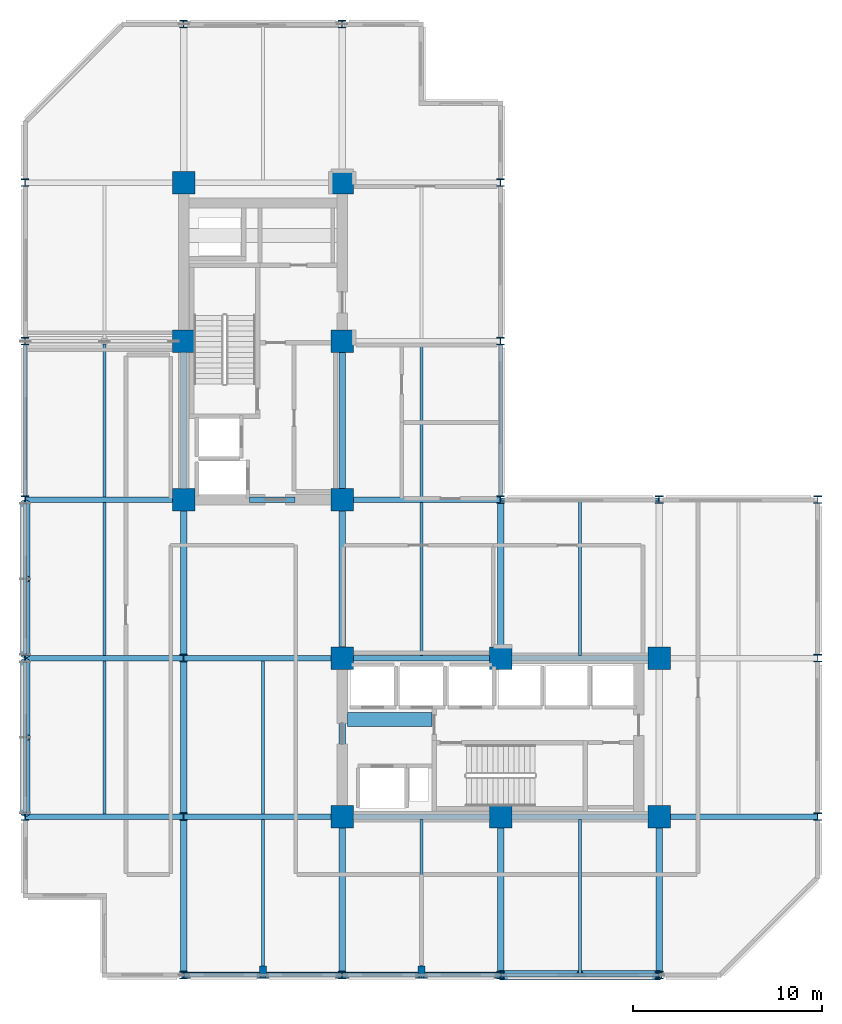
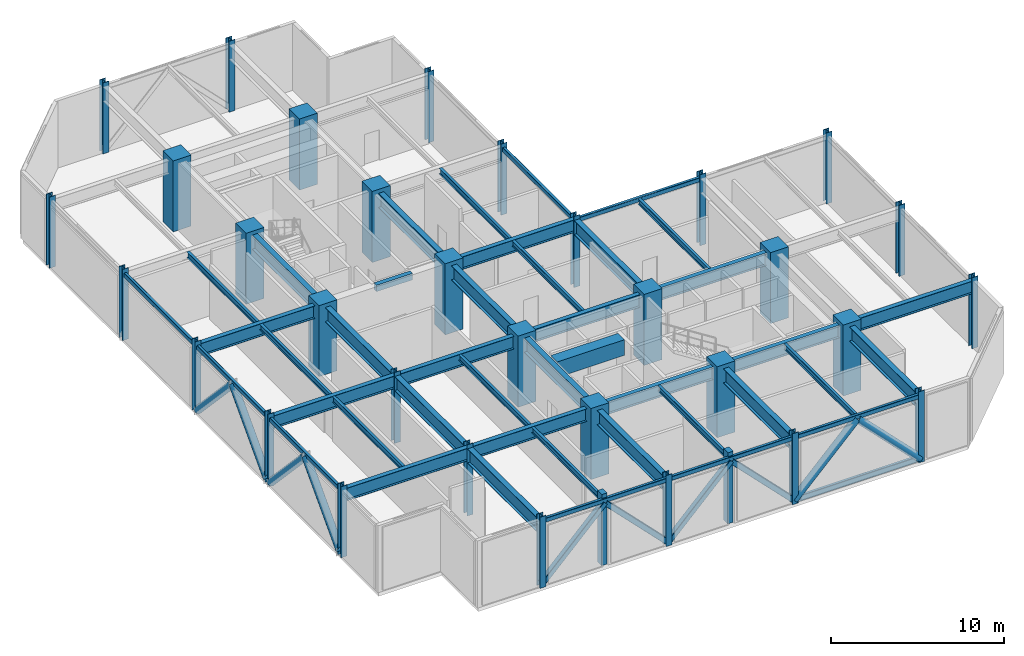
# One storey, part 1 of 10: 42 beams, 34 columns, 11 members.
"""IFC4 building model written with IfcOpenShell, lengths in metres."""

from ifc_helpers import new_model, si_unit, direction, frame, origin, origin_2d, place, context, subcontext, project, spatial, rectangle, hollow_rectangle, hollow_circle, i_section, extrude, material, material_profile, profile_set, type_object, element, save


model = new_model("IFC4")

# Units and contexts
model_context = context("Model", 3, precision=1e-05, world=origin(), true_north=direction((0.0, 1.0)))
body_context = subcontext(model_context, "Body", "Model", "MODEL_VIEW")
ifc_project = project(units=[si_unit("LENGTHUNIT", "METRE"), si_unit("AREAUNIT", "SQUARE_METRE"), si_unit("VOLUMEUNIT", "CUBIC_METRE"), si_unit("PLANEANGLEUNIT", "RADIAN"), si_unit("MASSUNIT", "GRAM", prefix="KILO")], contexts=[model_context])

# Site, building, storey
site_placement = place(None, origin())
site = spatial("IfcSite", under=ifc_project, at=site_placement, CompositionType="ELEMENT")
building_placement = place(site_placement, origin())
building = spatial("IfcBuilding", under=site, at=building_placement, Name="Nerrivon Quay Data Exchange", CompositionType="ELEMENT")
storey_placement = place(building_placement, frame((0.0, 0.0, 162.300048828125)))
storey = spatial("IfcBuildingStorey", under=building, at=storey_placement, Name="L38", CompositionType="ELEMENT", Elevation=162.300048828125)

# Columns
ifc_material_1 = material(Name="Concrete S65 (65 MPa)", Category="concrete")
ifc_material_profile_1 = material_profile(ifc_material_1, rectangle(XDim=1.199951171875, YDim=1.199951171875, at=origin_2d()), Name="RC-COL-1200x1200")
ifc_profile_set_1 = profile_set([ifc_material_profile_1], Name="Concrete S65 (65 MPa)")
column_type_1 = type_object("IfcColumnType", Name="COL-C3-1200", PredefinedType="COLUMN", material=ifc_profile_set_1)
for number, where, z_axis, x_axis, name in (
    (1, (8.39990234375, 25.199951171875, 0.0), (0.0, 0.0, 1.0), (1.0, 0.0, 0.0), "L38 Column (8.4,25.2)"),
    (2, (8.39990234375, 33.60009765625, 0.0), (0.0, 0.0, 1.0), (1.0, 0.0, 0.0), "L38 Column (8.4,33.6)"),
    (3, (8.39990234375, 42.0, 0.0), (0.0, 0.0, 1.0), (1.0, 0.0, 0.0), "L38 Column (8.4,42.0)"),
    (4, (16.800048828125, 8.39990234375, 0.0), (0.0, 0.0, 1.0), (1.0, 0.0, 0.0), "L38 Column (16.8,8.4)"),
    (5, (16.800048828125, 16.800048828125, 0.0), (0.0, 0.0, 1.0), (1.0, 0.0, 0.0), "L38 Column (16.8,16.8)"),
    (6, (16.800048828125, 25.199951171875, 0.0), (0.0, 0.0, 1.0), (1.0, 0.0, 0.0), "L38 Column (16.8,25.2)"),
    (7, (16.800048828125, 33.60009765625, 0.0), (0.0, 0.0, 1.0), (1.0, 0.0, 0.0), "L38 Column (16.8,33.6)"),
    (8, (16.800048828125, 42.0, 0.0), (0.0, 0.0, 1.0), (1.0, 0.0, 0.0), "L38 Column (16.8,42.0)"),
    (9, (25.199951171875, 8.39990234375, 0.0), (0.0, 0.0, 1.0), (1.0, 0.0, 0.0), "L38 Column (25.2,8.4)"),
    (10, (25.199951171875, 16.800048828125, 0.0), (0.0, 0.0, 1.0), (1.0, 0.0, 0.0), "L38 Column (25.2,16.8)"),
    (11, (33.60009765625, 8.39990234375, 0.0), (0.0, 0.0, 1.0), (1.0, 0.0, 0.0), "L38 Column (33.6,8.4)"),
    (12, (33.60009765625, 16.800048828125, 0.0), (0.0, 0.0, 1.0), (1.0, 0.0, 0.0), "L38 Column (33.6,16.8)"),
):
    element("IfcColumn", number, at=place(storey_placement, frame(where, z_axis=z_axis, x_axis=x_axis)), inside=storey, type_object=column_type_1, Name=name, PredefinedType="COLUMN", context=body_context, shape_type="SweptSolid", body=[
        extrude(rectangle(XDim=1.199951171875, YDim=1.199951171875, at=origin_2d()), origin(), (0.0, 0.0, 1.0), 5.0),
    ])
ifc_material_2 = material(Name="Steel Grade 350", Category="steel")
ifc_material_profile_2 = material_profile(ifc_material_2, i_section(OverallWidth=0.39990234375, OverallDepth=0.39990234375, WebThickness=0.02490234375, FlangeThickness=0.0400390625, at=origin_2d()), Name="400WC328")
ifc_profile_set_2 = profile_set([ifc_material_profile_2], Name="Steel Grade 350")
column_type_2 = type_object("IfcColumnType", Name="COL-SC2-400WC", PredefinedType="COLUMN", material=ifc_profile_set_2)
for number, where, z_axis, x_axis, name in (
    (13, (0.0, 8.39990234375, 0.0), (0.0, 0.0, 1.0), (1.0, 0.0, 0.0), "L38 Column (0.0,8.4)"),
    (14, (0.0, 16.800048828125, 0.0), (0.0, 0.0, 1.0), (1.0, 0.0, 0.0), "L38 Column (0.0,16.8)"),
    (15, (0.0, 25.199951171875, 0.0), (0.0, 0.0, 1.0), (1.0, 0.0, 0.0), "L38 Column (0.0,25.2)"),
    (16, (0.0, 33.60009765625, 0.0), (0.0, 0.0, 1.0), (1.0, 0.0, 0.0), "L38 Column (0.0,33.6)"),
    (17, (0.0, 42.0, 0.0), (0.0, 0.0, 1.0), (1.0, 0.0, 0.0), "L38 Column (0.0,42.0)"),
    (18, (8.39990234375, 0.0, 0.0), (0.0, 0.0, 1.0), (1.0, 0.0, 0.0), "L38 Column (8.4,0.0)"),
    (19, (8.39990234375, 8.39990234375, 0.0), (0.0, 0.0, 1.0), (1.0, 0.0, 0.0), "L38 Column (8.4,8.4)"),
    (20, (8.39990234375, 16.800048828125, 0.0), (0.0, 0.0, 1.0), (1.0, 0.0, 0.0), "L38 Column (8.4,16.8)"),
    (21, (8.39990234375, 50.39990234375, 0.0), (0.0, 0.0, 1.0), (1.0, 0.0, 0.0), "L38 Column (8.4,50.4)"),
    (22, (16.800048828125, 0.0, 0.0), (0.0, 0.0, 1.0), (1.0, 0.0, 0.0), "L38 Column (16.8,0.0)"),
    (23, (16.800048828125, 50.39990234375, 0.0), (0.0, 0.0, 1.0), (1.0, 0.0, 0.0), "L38 Column (16.8,50.4)"),
    (24, (25.199951171875, 0.0, 0.0), (0.0, 0.0, 1.0), (1.0, 0.0, 0.0), "L38 Column (25.2,0.0)"),
    (25, (25.199951171875, 25.199951171875, 0.0), (0.0, 0.0, 1.0), (1.0, 0.0, 0.0), "L38 Column (25.2,25.2)"),
    (26, (25.199951171875, 33.60009765625, 0.0), (0.0, 0.0, 1.0), (1.0, 0.0, 0.0), "L38 Column (25.2,33.6)"),
    (27, (25.199951171875, 42.0, 0.0), (0.0, 0.0, 1.0), (1.0, 0.0, 0.0), "L38 Column (25.2,42.0)"),
    (28, (33.60009765625, 0.0, 0.0), (0.0, 0.0, 1.0), (1.0, 0.0, 0.0), "L38 Column (33.6,0.0)"),
    (29, (33.60009765625, 25.199951171875, 0.0), (0.0, 0.0, 1.0), (1.0, 0.0, 0.0), "L38 Column (33.6,25.2)"),
    (30, (42.0, 8.39990234375, 0.0), (0.0, 0.0, 1.0), (1.0, 0.0, 0.0), "L38 Column (42.0,8.4)"),
    (31, (42.0, 16.800048828125, 0.0), (0.0, 0.0, 1.0), (1.0, 0.0, 0.0), "L38 Column (42.0,16.8)"),
    (32, (42.0, 25.199951171875, 0.0), (0.0, 0.0, 1.0), (1.0, 0.0, 0.0), "L38 Column (42.0,25.2)"),
):
    element("IfcColumn", number, at=place(storey_placement, frame(where, z_axis=z_axis, x_axis=x_axis)), inside=storey, type_object=column_type_2, Name=name, PredefinedType="COLUMN", context=body_context, shape_type="SweptSolid", body=[
        extrude(i_section(OverallWidth=0.39990234375, OverallDepth=0.39990234375, WebThickness=0.02490234375, FlangeThickness=0.0400390625, at=origin_2d()), origin(), (0.0, 0.0, 1.0), 5.0),
    ])
ifc_material_3 = material(Name="Concrete N50 (50 MPa)", Category="concrete")
ifc_material_profile_3 = material_profile(ifc_material_3, rectangle(XDim=0.35009765625, YDim=0.5, at=origin_2d()), Name="RC-PIL-500x350")
ifc_profile_set_3 = profile_set([ifc_material_profile_3], Name="Concrete N50 (50 MPa)")
column_type_3 = type_object("IfcColumnType", Name="PIL-P2-500x350", PredefinedType="PILASTER", material=ifc_profile_set_3)
for number, where, z_axis, x_axis, name in (
    (33, (12.60009765625, 0.25, 0.0), (0.0, 0.0, 1.0), (1.0, 0.0, 0.0), "L38 Facade Pilaster (12.6)"),
    (34, (21.0, 0.25, 0.0), (0.0, 0.0, 1.0), (1.0, 0.0, 0.0), "L38 Facade Pilaster (21.0)"),
):
    element("IfcColumn", number, at=place(storey_placement, frame(where, z_axis=z_axis, x_axis=x_axis)), inside=storey, type_object=column_type_3, Name=name, PredefinedType="PILASTER", context=body_context, shape_type="SweptSolid", body=[
        extrude(rectangle(XDim=0.35009765625, YDim=0.5, at=origin_2d()), origin(), (0.0, 0.0, 1.0), 5.0),
    ])

# Beams
ifc_material_profile_4 = material_profile(ifc_material_1, rectangle(XDim=0.75, YDim=1.10009765625, at=origin_2d()), Name="RC-CB-750x1100")
ifc_profile_set_4 = profile_set([ifc_material_profile_4], Name="Concrete S65 (65 MPa)")
beam_type_1 = type_object("IfcBeamType", Name="BM-CB1-750x1100", PredefinedType="LINTEL", material=ifc_profile_set_4)
beam_1_placement = place(storey_placement, frame((17.074951171875, 13.550048828125, 4.175048828125), z_axis=(1.0, 0.0, 0.0), x_axis=(0.0, 1.0, 0.0)))
element("IfcBeam", 35, at=beam_1_placement, inside=storey, type_object=beam_type_1, Name="L38 East Core Coupling Beam", PredefinedType="LINTEL", context=body_context, shape_type="SweptSolid", body=[
    extrude(rectangle(XDim=0.75, YDim=1.10009765625, at=origin_2d()), origin(), (0.0, 0.0, 1.0), 4.47998046875),
])
ifc_material_profile_5 = material_profile(ifc_material_2, i_section(OverallWidth=0.177978515625, OverallDepth=0.403076171875, WebThickness=0.007568359375, FlangeThickness=0.010986328125, FilletRadius=0.011474609375, at=origin_2d()), Name="410UB53.7")
ifc_profile_set_5 = profile_set([ifc_material_profile_5], Name="Steel Grade 350")
beam_type_2 = type_object("IfcBeamType", Name="BM-J2-410UB54", PredefinedType="JOIST", material=ifc_profile_set_5)
beam_2_placement = place(storey_placement, frame((4.199951171875, 8.550048828125, 4.5234375), z_axis=(0.0, 1.0, 0.0), x_axis=(-1.0, 0.0, 0.0)))
element("IfcBeam", 36, at=beam_2_placement, inside=storey, type_object=beam_type_2, Name="L38 Secondary Joist X=4.2 (8.4..16.8)", PredefinedType="JOIST", context=body_context, shape_type="SweptSolid", body=[
    extrude(i_section(OverallWidth=0.177978515625, OverallDepth=0.403076171875, WebThickness=0.007568359375, FlangeThickness=0.010986328125, FilletRadius=0.011474609375, at=origin_2d()), origin(), (0.0, 0.0, 1.0), 8.099853515625),
])
beam_3_placement = place(storey_placement, frame((4.199951171875, 16.949951171875, 4.5234375), z_axis=(0.0, 1.0, 0.0), x_axis=(-1.0, 0.0, 0.0)))
element("IfcBeam", 37, at=beam_3_placement, inside=storey, type_object=beam_type_2, Name="L38 Secondary Joist X=4.2 (16.8..25.2)", PredefinedType="JOIST", context=body_context, shape_type="SweptSolid", body=[
    extrude(i_section(OverallWidth=0.177978515625, OverallDepth=0.403076171875, WebThickness=0.007568359375, FlangeThickness=0.010986328125, FilletRadius=0.011474609375, at=origin_2d()), origin(), (0.0, 0.0, 1.0), 8.10009765625),
])
beam_4_placement = place(storey_placement, frame((4.199951171875, 25.35009765625, 4.5234375), z_axis=(0.0, 1.0, 0.0), x_axis=(-1.0, 0.0, 0.0)))
element("IfcBeam", 38, at=beam_4_placement, inside=storey, type_object=beam_type_2, Name="L38 Secondary Joist X=4.2 (25.2..33.6)", PredefinedType="JOIST", context=body_context, shape_type="SweptSolid", body=[
    extrude(i_section(OverallWidth=0.177978515625, OverallDepth=0.403076171875, WebThickness=0.007568359375, FlangeThickness=0.010986328125, FilletRadius=0.011474609375, at=origin_2d()), origin(), (0.0, 0.0, 1.0), 8.099853515625),
])
beam_5_placement = place(storey_placement, frame((12.60009765625, 0.10009765625, 4.5234375), z_axis=(0.0, 1.0, 0.0), x_axis=(-1.0, 0.0, 0.0)))
element("IfcBeam", 39, at=beam_5_placement, inside=storey, type_object=beam_type_2, Name="L38 Secondary Joist X=12.6 (0.0..8.4)", PredefinedType="JOIST", context=body_context, shape_type="SweptSolid", body=[
    extrude(i_section(OverallWidth=0.177978515625, OverallDepth=0.403076171875, WebThickness=0.007568359375, FlangeThickness=0.010986328125, FilletRadius=0.011474609375, at=origin_2d()), origin(), (0.0, 0.0, 1.0), 8.14990234375),
])
beam_6_placement = place(storey_placement, frame((12.60009765625, 8.550048828125, 4.5234375), z_axis=(0.0, 1.0, 0.0), x_axis=(-1.0, 0.0, 0.0)))
element("IfcBeam", 40, at=beam_6_placement, inside=storey, type_object=beam_type_2, Name="L38 Secondary Joist X=12.6 (8.4..16.8)", PredefinedType="JOIST", context=body_context, shape_type="SweptSolid", body=[
    extrude(i_section(OverallWidth=0.177978515625, OverallDepth=0.403076171875, WebThickness=0.007568359375, FlangeThickness=0.010986328125, FilletRadius=0.011474609375, at=origin_2d()), origin(), (0.0, 0.0, 1.0), 8.099853515625),
])
beam_7_placement = place(storey_placement, frame((21.0, 0.10009765625, 4.5234375), z_axis=(0.0, 1.0, 0.0), x_axis=(-1.0, 0.0, 0.0)))
element("IfcBeam", 41, at=beam_7_placement, inside=storey, type_object=beam_type_2, Name="L38 Secondary Joist X=21.0 (0.0..8.4)", PredefinedType="JOIST", context=body_context, shape_type="SweptSolid", body=[
    extrude(i_section(OverallWidth=0.177978515625, OverallDepth=0.403076171875, WebThickness=0.007568359375, FlangeThickness=0.010986328125, FilletRadius=0.011474609375, at=origin_2d()), origin(), (0.0, 0.0, 1.0), 8.14990234375),
])
beam_8_placement = place(storey_placement, frame((21.0, 16.949951171875, 4.5234375), z_axis=(0.0, 1.0, 0.0), x_axis=(-1.0, 0.0, 0.0)))
element("IfcBeam", 42, at=beam_8_placement, inside=storey, type_object=beam_type_2, Name="L38 Secondary Joist X=21.0 (16.8..25.2)", PredefinedType="JOIST", context=body_context, shape_type="SweptSolid", body=[
    extrude(i_section(OverallWidth=0.177978515625, OverallDepth=0.403076171875, WebThickness=0.007568359375, FlangeThickness=0.010986328125, FilletRadius=0.011474609375, at=origin_2d()), origin(), (0.0, 0.0, 1.0), 8.10009765625),
])
beam_9_placement = place(storey_placement, frame((21.0, 25.35009765625, 4.5234375), z_axis=(0.0, 1.0, 0.0), x_axis=(-1.0, 0.0, 0.0)))
element("IfcBeam", 43, at=beam_9_placement, inside=storey, type_object=beam_type_2, Name="L38 Secondary Joist X=21.0 (25.2..33.6)", PredefinedType="JOIST", context=body_context, shape_type="SweptSolid", body=[
    extrude(i_section(OverallWidth=0.177978515625, OverallDepth=0.403076171875, WebThickness=0.007568359375, FlangeThickness=0.010986328125, FilletRadius=0.011474609375, at=origin_2d()), origin(), (0.0, 0.0, 1.0), 8.099853515625),
])
beam_10_placement = place(storey_placement, frame((29.39990234375, 0.10009765625, 4.5234375), z_axis=(0.0, 1.0, 0.0), x_axis=(-1.0, 0.0, 0.0)))
element("IfcBeam", 44, at=beam_10_placement, inside=storey, type_object=beam_type_2, Name="L38 Secondary Joist X=29.4 (0.0..8.4)", PredefinedType="JOIST", context=body_context, shape_type="SweptSolid", body=[
    extrude(i_section(OverallWidth=0.177978515625, OverallDepth=0.403076171875, WebThickness=0.007568359375, FlangeThickness=0.010986328125, FilletRadius=0.011474609375, at=origin_2d()), origin(), (0.0, 0.0, 1.0), 8.14990234375),
])
beam_11_placement = place(storey_placement, frame((29.39990234375, 16.949951171875, 4.5234375), z_axis=(0.0, 1.0, 0.0), x_axis=(-1.0, 0.0, 0.0)))
element("IfcBeam", 45, at=beam_11_placement, inside=storey, type_object=beam_type_2, Name="L38 Secondary Joist X=29.4 (16.8..25.2)", PredefinedType="JOIST", context=body_context, shape_type="SweptSolid", body=[
    extrude(i_section(OverallWidth=0.177978515625, OverallDepth=0.403076171875, WebThickness=0.007568359375, FlangeThickness=0.010986328125, FilletRadius=0.011474609375, at=origin_2d()), origin(), (0.0, 0.0, 1.0), 8.150146484375),
])
ifc_material_profile_6 = material_profile(ifc_material_3, rectangle(XDim=0.300048828125, YDim=0.449951171875, at=origin_2d()), Name="RC-LNT-300x450")
ifc_profile_set_6 = profile_set([ifc_material_profile_6], Name="Concrete N50 (50 MPa)")
beam_type_3 = type_object("IfcBeamType", Name="BM-LNT-300x450", PredefinedType="LINTEL", material=ifc_profile_set_6)
beam_12_placement = place(storey_placement, frame((11.89990234375, 25.199951171875, 4.5), z_axis=(1.0, 0.0, 0.0), x_axis=(0.0, 1.0, 0.0)))
element("IfcBeam", 46, at=beam_12_placement, inside=storey, type_object=beam_type_3, Name="L38 Core Threshold RC Lintel", PredefinedType="LINTEL", context=body_context, shape_type="SweptSolid", body=[
    extrude(rectangle(XDim=0.300048828125, YDim=0.449951171875, at=origin_2d()), origin(), (0.0, 0.0, 1.0), 2.400146484375),
])
ifc_material_profile_7 = material_profile(ifc_material_2, i_section(OverallWidth=0.300048828125, OverallDepth=0.89990234375, WebThickness=0.011962890625, FlangeThickness=0.02001953125, at=origin_2d()), Name="900WB175")
ifc_profile_set_7 = profile_set([ifc_material_profile_7], Name="Steel Grade 350")
beam_type_4 = type_object("IfcBeamType", Name="BM-OUT-900WB175", PredefinedType="BEAM", material=ifc_profile_set_7)
beam_13_placement = place(storey_placement, frame((0.012451171875, 8.39990234375, 4.27490234375), z_axis=(1.0, 0.0, 0.0), x_axis=(0.0, 1.0, 0.0)))
element("IfcBeam", 47, at=beam_13_placement, inside=storey, type_object=beam_type_4, Name="L38 EW Girder Y=8.4 (0.0..8.4)", PredefinedType="BEAM", context=body_context, shape_type="SweptSolid", body=[
    extrude(i_section(OverallWidth=0.300048828125, OverallDepth=0.89990234375, WebThickness=0.011962890625, FlangeThickness=0.02001953125, at=origin_2d()), origin(), (0.0, 0.0, 1.0), 8.375),
])
beam_14_placement = place(storey_placement, frame((8.41259765625, 8.39990234375, 4.27490234375), z_axis=(1.0, 0.0, 0.0), x_axis=(0.0, 1.0, 0.0)))
element("IfcBeam", 48, at=beam_14_placement, inside=storey, type_object=beam_type_4, Name="L38 EW Girder Y=8.4 (8.4..16.8)", PredefinedType="BEAM", context=body_context, shape_type="SweptSolid", body=[
    extrude(i_section(OverallWidth=0.300048828125, OverallDepth=0.89990234375, WebThickness=0.011962890625, FlangeThickness=0.02001953125, at=origin_2d()), origin(), (0.0, 0.0, 1.0), 7.847412109375),
])
beam_15_placement = place(storey_placement, frame((17.340087890625, 8.39990234375, 4.27490234375), z_axis=(1.0, 0.0, 0.0), x_axis=(0.0, 1.0, 0.0)))
element("IfcBeam", 49, at=beam_15_placement, inside=storey, type_object=beam_type_4, Name="L38 EW Girder Y=8.4 (16.8..25.2)", PredefinedType="BEAM", context=body_context, shape_type="SweptSolid", body=[
    extrude(i_section(OverallWidth=0.300048828125, OverallDepth=0.89990234375, WebThickness=0.011962890625, FlangeThickness=0.02001953125, at=origin_2d()), origin(), (0.0, 0.0, 1.0), 7.31982421875),
])
beam_16_placement = place(storey_placement, frame((25.739990234375, 8.39990234375, 4.27490234375), z_axis=(1.0, 0.0, 0.0), x_axis=(0.0, 1.0, 0.0)))
element("IfcBeam", 50, at=beam_16_placement, inside=storey, type_object=beam_type_4, Name="L38 EW Girder Y=8.4 (25.2..33.6)", PredefinedType="BEAM", context=body_context, shape_type="SweptSolid", body=[
    extrude(i_section(OverallWidth=0.300048828125, OverallDepth=0.89990234375, WebThickness=0.011962890625, FlangeThickness=0.02001953125, at=origin_2d()), origin(), (0.0, 0.0, 1.0), 7.320068359375),
])
beam_17_placement = place(storey_placement, frame((34.139892578125, 8.39990234375, 4.27490234375), z_axis=(1.0, 0.0, 0.0), x_axis=(0.0, 1.0, 0.0)))
element("IfcBeam", 51, at=beam_17_placement, inside=storey, type_object=beam_type_4, Name="L38 EW Girder Y=8.4 (33.6..42.0)", PredefinedType="BEAM", context=body_context, shape_type="SweptSolid", body=[
    extrude(i_section(OverallWidth=0.300048828125, OverallDepth=0.89990234375, WebThickness=0.011962890625, FlangeThickness=0.02001953125, at=origin_2d()), origin(), (0.0, 0.0, 1.0), 7.84765625),
])
beam_18_placement = place(storey_placement, frame((0.012451171875, 16.800048828125, 4.27490234375), z_axis=(1.0, 0.0, 0.0), x_axis=(0.0, 1.0, 0.0)))
element("IfcBeam", 52, at=beam_18_placement, inside=storey, type_object=beam_type_4, Name="L38 EW Girder Y=16.8 (0.0..8.4)", PredefinedType="BEAM", context=body_context, shape_type="SweptSolid", body=[
    extrude(i_section(OverallWidth=0.300048828125, OverallDepth=0.89990234375, WebThickness=0.011962890625, FlangeThickness=0.02001953125, at=origin_2d()), origin(), (0.0, 0.0, 1.0), 8.375),
])
beam_19_placement = place(storey_placement, frame((8.41259765625, 16.800048828125, 4.27490234375), z_axis=(1.0, 0.0, 0.0), x_axis=(0.0, 1.0, 0.0)))
element("IfcBeam", 53, at=beam_19_placement, inside=storey, type_object=beam_type_4, Name="L38 EW Girder Y=16.8 (8.4..16.8)", PredefinedType="BEAM", context=body_context, shape_type="SweptSolid", body=[
    extrude(i_section(OverallWidth=0.300048828125, OverallDepth=0.89990234375, WebThickness=0.011962890625, FlangeThickness=0.02001953125, at=origin_2d()), origin(), (0.0, 0.0, 1.0), 7.847412109375),
])
beam_20_placement = place(storey_placement, frame((17.340087890625, 16.800048828125, 4.27490234375), z_axis=(1.0, 0.0, 0.0), x_axis=(0.0, 1.0, 0.0)))
element("IfcBeam", 54, at=beam_20_placement, inside=storey, type_object=beam_type_4, Name="L38 EW Girder Y=16.8 (16.8..25.2)", PredefinedType="BEAM", context=body_context, shape_type="SweptSolid", body=[
    extrude(i_section(OverallWidth=0.300048828125, OverallDepth=0.89990234375, WebThickness=0.011962890625, FlangeThickness=0.02001953125, at=origin_2d()), origin(), (0.0, 0.0, 1.0), 7.31982421875),
])
beam_21_placement = place(storey_placement, frame((25.739990234375, 16.800048828125, 4.27490234375), z_axis=(1.0, 0.0, 0.0), x_axis=(0.0, 1.0, 0.0)))
element("IfcBeam", 55, at=beam_21_placement, inside=storey, type_object=beam_type_4, Name="L38 EW Girder Y=16.8 (25.2..33.6)", PredefinedType="BEAM", context=body_context, shape_type="SweptSolid", body=[
    extrude(i_section(OverallWidth=0.300048828125, OverallDepth=0.89990234375, WebThickness=0.011962890625, FlangeThickness=0.02001953125, at=origin_2d()), origin(), (0.0, 0.0, 1.0), 7.320068359375),
])
beam_22_placement = place(storey_placement, frame((0.012451171875, 25.199951171875, 4.27490234375), z_axis=(1.0, 0.0, 0.0), x_axis=(0.0, 1.0, 0.0)))
element("IfcBeam", 56, at=beam_22_placement, inside=storey, type_object=beam_type_4, Name="L38 EW Girder Y=25.2 (0.0..8.4)", PredefinedType="BEAM", context=body_context, shape_type="SweptSolid", body=[
    extrude(i_section(OverallWidth=0.300048828125, OverallDepth=0.89990234375, WebThickness=0.011962890625, FlangeThickness=0.02001953125, at=origin_2d()), origin(), (0.0, 0.0, 1.0), 7.84765625),
])
beam_23_placement = place(storey_placement, frame((17.340087890625, 25.199951171875, 4.27490234375), z_axis=(1.0, 0.0, 0.0), x_axis=(0.0, 1.0, 0.0)))
element("IfcBeam", 57, at=beam_23_placement, inside=storey, type_object=beam_type_4, Name="L38 EW Girder Y=25.2 (16.8..25.2)", PredefinedType="BEAM", context=body_context, shape_type="SweptSolid", body=[
    extrude(i_section(OverallWidth=0.300048828125, OverallDepth=0.89990234375, WebThickness=0.011962890625, FlangeThickness=0.02001953125, at=origin_2d()), origin(), (0.0, 0.0, 1.0), 7.847412109375),
])
ifc_material_4 = material(Name="Steel Grade C350L0 (350 MPa)", Category="steel")
ifc_material_profile_8 = material_profile(ifc_material_4, hollow_rectangle(XDim=0.199951171875, YDim=0.300048828125, WallThickness=0.012451171875, InnerFilletRadius=0.018798828125, OuterFilletRadius=0.03125, at=origin_2d()), Name="300x200x12.5RHS")
ifc_profile_set_8 = profile_set([ifc_material_profile_8], Name="Steel Grade C350L0 (350 MPa)")
beam_type_5 = type_object("IfcBeamType", Name="BM-SP3-300x200RHS", PredefinedType="SPANDREL", material=ifc_profile_set_8)
for number, where, z_axis, x_axis, name in (
    (58, (8.41259765625, 0.0, 4.574951171875), (1.0, 0.0, 0.0), (0.0, 1.0, 0.0), "L38 EW Girder Y=0.0 (8.4..16.8)"),
    (59, (16.8125, 0.0, 4.574951171875), (1.0, 0.0, 0.0), (0.0, 1.0, 0.0), "L38 EW Girder Y=0.0 (16.8..25.2)"),
    (60, (25.21240234375, 0.0, 4.574951171875), (1.0, 0.0, 0.0), (0.0, 1.0, 0.0), "L38 EW Girder Y=0.0 (25.2..33.6)"),
    (61, (25.21240234375, 25.199951171875, 4.574951171875), (1.0, 0.0, 0.0), (0.0, 1.0, 0.0), "L38 EW Girder Y=25.2 (25.2..33.6)"),
):
    element("IfcBeam", number, at=place(storey_placement, frame(where, z_axis=z_axis, x_axis=x_axis)), inside=storey, type_object=beam_type_5, Name=name, PredefinedType="SPANDREL", context=body_context, shape_type="SweptSolid", body=[
        extrude(hollow_rectangle(XDim=0.199951171875, YDim=0.300048828125, WallThickness=0.012451171875, InnerFilletRadius=0.018798828125, OuterFilletRadius=0.03125, at=origin_2d()), origin(), (0.0, 0.0, 1.0), 8.375),
    ])
for number, where, z_axis, x_axis, name in (
    (62, (0.0, 8.60009765625, 4.574951171875), (0.0, 1.0, 0.0), (-1.0, 0.0, 0.0), "L38 NS Girder X=0.0 (8.4..16.8)"),
    (63, (0.0, 17.0, 4.574951171875), (0.0, 1.0, 0.0), (-1.0, 0.0, 0.0), "L38 NS Girder X=0.0 (16.8..25.2)"),
    (64, (0.0, 25.39990234375, 4.574951171875), (0.0, 1.0, 0.0), (-1.0, 0.0, 0.0), "L38 NS Girder X=0.0 (25.2..33.6)"),
    (65, (25.199951171875, 25.39990234375, 4.574951171875), (0.0, 1.0, 0.0), (-1.0, 0.0, 0.0), "L38 NS Girder X=25.2 (25.2..33.6)"),
):
    element("IfcBeam", number, at=place(storey_placement, frame(where, z_axis=z_axis, x_axis=x_axis)), inside=storey, type_object=beam_type_5, Name=name, PredefinedType="SPANDREL", context=body_context, shape_type="SweptSolid", body=[
        extrude(hollow_rectangle(XDim=0.199951171875, YDim=0.300048828125, WallThickness=0.012451171875, InnerFilletRadius=0.018798828125, OuterFilletRadius=0.03125, at=origin_2d()), origin(), (0.0, 0.0, 1.0), 8.0),
    ])
ifc_material_profile_9 = material_profile(ifc_material_2, i_section(OverallWidth=0.35009765625, OverallDepth=1.01611328125, WebThickness=0.01611328125, FlangeThickness=0.028076171875, at=origin_2d()), Name="1000WB258")
ifc_profile_set_9 = profile_set([ifc_material_profile_9], Name="Steel Grade 350")
beam_type_6 = type_object("IfcBeamType", Name="BM-TG3-1000WB", PredefinedType="USERDEFINED", material=ifc_profile_set_9)
for number, where, z_axis, x_axis, name in (
    (66, (8.39990234375, 0.199951171875, 4.217041015625), (0.0, 1.0, 0.0), (-1.0, 0.0, 0.0), "L38 NS Girder X=8.4 (0.0..8.4)"),
    (67, (8.39990234375, 8.60009765625, 4.217041015625), (0.0, 1.0, 0.0), (-1.0, 0.0, 0.0), "L38 NS Girder X=8.4 (8.4..16.8)"),
):
    element("IfcBeam", number, at=place(storey_placement, frame(where, z_axis=z_axis, x_axis=x_axis)), inside=storey, type_object=beam_type_6, Name=name, ObjectType="TRANSFER", PredefinedType="USERDEFINED", context=body_context, shape_type="SweptSolid", body=[
        extrude(i_section(OverallWidth=0.35009765625, OverallDepth=1.01611328125, WebThickness=0.01611328125, FlangeThickness=0.028076171875, at=origin_2d()), origin(), (0.0, 0.0, 1.0), 8.0),
    ])
beam_24_placement = place(storey_placement, frame((8.39990234375, 17.0, 4.217041015625), z_axis=(0.0, 1.0, 0.0), x_axis=(-1.0, 0.0, 0.0)))
element("IfcBeam", 68, at=beam_24_placement, inside=storey, type_object=beam_type_6, Name="L38 NS Girder X=8.4 (16.8..25.2)", ObjectType="TRANSFER", PredefinedType="USERDEFINED", context=body_context, shape_type="SweptSolid", body=[
    extrude(i_section(OverallWidth=0.35009765625, OverallDepth=1.01611328125, WebThickness=0.01611328125, FlangeThickness=0.028076171875, at=origin_2d()), origin(), (0.0, 0.0, 1.0), 7.659912109375),
])
beam_25_placement = place(storey_placement, frame((8.39990234375, 25.739990234375, 4.217041015625), z_axis=(0.0, 1.0, 0.0), x_axis=(-1.0, 0.0, 0.0)))
element("IfcBeam", 69, at=beam_25_placement, inside=storey, type_object=beam_type_6, Name="L38 NS Girder X=8.4 (25.2..33.6)", ObjectType="TRANSFER", PredefinedType="USERDEFINED", context=body_context, shape_type="SweptSolid", body=[
    extrude(i_section(OverallWidth=0.35009765625, OverallDepth=1.01611328125, WebThickness=0.01611328125, FlangeThickness=0.028076171875, at=origin_2d()), origin(), (0.0, 0.0, 1.0), 7.320068359375),
])
beam_26_placement = place(storey_placement, frame((16.800048828125, 0.199951171875, 4.217041015625), z_axis=(0.0, 1.0, 0.0), x_axis=(-1.0, 0.0, 0.0)))
element("IfcBeam", 70, at=beam_26_placement, inside=storey, type_object=beam_type_6, Name="L38 NS Girder X=16.8 (0.0..8.4)", ObjectType="TRANSFER", PredefinedType="USERDEFINED", context=body_context, shape_type="SweptSolid", body=[
    extrude(i_section(OverallWidth=0.35009765625, OverallDepth=1.01611328125, WebThickness=0.01611328125, FlangeThickness=0.028076171875, at=origin_2d()), origin(), (0.0, 0.0, 1.0), 7.66015625),
])
beam_27_placement = place(storey_placement, frame((16.800048828125, 8.93994140625, 4.217041015625), z_axis=(0.0, 1.0, 0.0), x_axis=(-1.0, 0.0, 0.0)))
element("IfcBeam", 71, at=beam_27_placement, inside=storey, type_object=beam_type_6, Name="L38 NS Girder X=16.8 (8.4..16.8)", ObjectType="TRANSFER", PredefinedType="USERDEFINED", context=body_context, shape_type="SweptSolid", body=[
    extrude(i_section(OverallWidth=0.35009765625, OverallDepth=1.01611328125, WebThickness=0.01611328125, FlangeThickness=0.028076171875, at=origin_2d()), origin(), (0.0, 0.0, 1.0), 7.320068359375),
])
beam_28_placement = place(storey_placement, frame((16.800048828125, 17.340087890625, 4.217041015625), z_axis=(0.0, 1.0, 0.0), x_axis=(-1.0, 0.0, 0.0)))
element("IfcBeam", 72, at=beam_28_placement, inside=storey, type_object=beam_type_6, Name="L38 NS Girder X=16.8 (16.8..25.2)", ObjectType="TRANSFER", PredefinedType="USERDEFINED", context=body_context, shape_type="SweptSolid", body=[
    extrude(i_section(OverallWidth=0.35009765625, OverallDepth=1.01611328125, WebThickness=0.01611328125, FlangeThickness=0.028076171875, at=origin_2d()), origin(), (0.0, 0.0, 1.0), 7.31982421875),
])
beam_29_placement = place(storey_placement, frame((16.800048828125, 25.739990234375, 4.217041015625), z_axis=(0.0, 1.0, 0.0), x_axis=(-1.0, 0.0, 0.0)))
element("IfcBeam", 73, at=beam_29_placement, inside=storey, type_object=beam_type_6, Name="L38 NS Girder X=16.8 (25.2..33.6)", ObjectType="TRANSFER", PredefinedType="USERDEFINED", context=body_context, shape_type="SweptSolid", body=[
    extrude(i_section(OverallWidth=0.35009765625, OverallDepth=1.01611328125, WebThickness=0.01611328125, FlangeThickness=0.028076171875, at=origin_2d()), origin(), (0.0, 0.0, 1.0), 7.320068359375),
])
beam_30_placement = place(storey_placement, frame((25.199951171875, 0.199951171875, 4.217041015625), z_axis=(0.0, 1.0, 0.0), x_axis=(-1.0, 0.0, 0.0)))
element("IfcBeam", 74, at=beam_30_placement, inside=storey, type_object=beam_type_6, Name="L38 NS Girder X=25.2 (0.0..8.4)", ObjectType="TRANSFER", PredefinedType="USERDEFINED", context=body_context, shape_type="SweptSolid", body=[
    extrude(i_section(OverallWidth=0.35009765625, OverallDepth=1.01611328125, WebThickness=0.01611328125, FlangeThickness=0.028076171875, at=origin_2d()), origin(), (0.0, 0.0, 1.0), 7.66015625),
])
beam_31_placement = place(storey_placement, frame((25.199951171875, 17.340087890625, 4.217041015625), z_axis=(0.0, 1.0, 0.0), x_axis=(-1.0, 0.0, 0.0)))
element("IfcBeam", 75, at=beam_31_placement, inside=storey, type_object=beam_type_6, Name="L38 NS Girder X=25.2 (16.8..25.2)", ObjectType="TRANSFER", PredefinedType="USERDEFINED", context=body_context, shape_type="SweptSolid", body=[
    extrude(i_section(OverallWidth=0.35009765625, OverallDepth=1.01611328125, WebThickness=0.01611328125, FlangeThickness=0.028076171875, at=origin_2d()), origin(), (0.0, 0.0, 1.0), 7.659912109375),
])
beam_32_placement = place(storey_placement, frame((33.60009765625, 0.199951171875, 4.217041015625), z_axis=(0.0, 1.0, 0.0), x_axis=(-1.0, 0.0, 0.0)))
element("IfcBeam", 76, at=beam_32_placement, inside=storey, type_object=beam_type_6, Name="L38 NS Girder X=33.6 (0.0..8.4)", ObjectType="TRANSFER", PredefinedType="USERDEFINED", context=body_context, shape_type="SweptSolid", body=[
    extrude(i_section(OverallWidth=0.35009765625, OverallDepth=1.01611328125, WebThickness=0.01611328125, FlangeThickness=0.028076171875, at=origin_2d()), origin(), (0.0, 0.0, 1.0), 7.66015625),
])

# Members
ifc_material_profile_10 = material_profile(ifc_material_4, hollow_rectangle(XDim=0.35009765625, YDim=0.35009765625, WallThickness=0.01611328125, InnerFilletRadius=0.02392578125, OuterFilletRadius=0.0400390625, at=origin_2d()), Name="350x350x16.0SHS")
ifc_profile_set_10 = profile_set([ifc_material_profile_10], Name="Steel Grade C350L0 (350 MPa)")
member_type_1 = type_object("IfcMemberType", Name="MEM-BB1-350SHS", PredefinedType="BRACE", material=ifc_profile_set_10)
for number, where, z_axis, x_axis, name in (
    (77, (8.41259765625, 0.0, 0.179931640625), (0.701420227056, 0.0, 0.71274796743), (0.0, 1.0, 0.0), "L38 structural brace BB-L38-05A"),
    (78, (16.78759765625, 0.0, 0.179931640625), (-0.701420227056, 0.0, 0.71274796743), (0.0, -1.0, 0.0), "L38 structural brace BB-L38-05B"),
    (79, (16.8125, 0.0, 0.179931640625), (0.701420227056, 0.0, 0.71274796743), (0.0, 1.0, 0.0), "L38 structural brace BB-L38-06A"),
    (80, (25.1875, 0.0, 0.179931640625), (-0.701420227056, 0.0, 0.71274796743), (0.0, -1.0, 0.0), "L38 structural brace BB-L38-06B"),
):
    element("IfcMember", number, at=place(storey_placement, frame(where, z_axis=z_axis, x_axis=x_axis)), inside=storey, type_object=member_type_1, Name=name, PredefinedType="BRACE", context=body_context, shape_type="SweptSolid", body=[
        extrude(hollow_rectangle(XDim=0.35009765625, YDim=0.35009765625, WallThickness=0.01611328125, InnerFilletRadius=0.02392578125, OuterFilletRadius=0.0400390625, at=origin_2d()), origin(), (0.0, 0.0, 1.0), 5.969970703125),
    ])
ifc_material_profile_11 = material_profile(ifc_material_4, hollow_rectangle(XDim=0.199951171875, YDim=0.39990234375, WallThickness=0.01611328125, InnerFilletRadius=0.02392578125, OuterFilletRadius=0.0400390625, at=origin_2d()), Name="400x200x16.0RHS")
ifc_profile_set_11 = profile_set([ifc_material_profile_11], Name="Steel Grade C350L0 (350 MPa)")
member_type_2 = type_object("IfcMemberType", Name="MEM-CH1-400RHS", PredefinedType="CHORD", material=ifc_profile_set_11)
member_placement = place(storey_placement, frame((25.21240234375, 0.0, 0.179931640625), z_axis=(1.0, 0.0, 0.0), x_axis=(0.0, 1.0, 0.0)))
element("IfcMember", 81, at=member_placement, inside=storey, type_object=member_type_2, Name="L38 Outrigger Bottom Chord 2", PredefinedType="CHORD", context=body_context, shape_type="SweptSolid", body=[
    extrude(hollow_rectangle(XDim=0.199951171875, YDim=0.39990234375, WallThickness=0.01611328125, InnerFilletRadius=0.02392578125, OuterFilletRadius=0.0400390625, at=origin_2d()), origin(), (0.0, 0.0, 1.0), 8.375),
])
ifc_material_profile_12 = material_profile(ifc_material_4, hollow_circle(Radius=0.25390625, WallThickness=0.02001953125, at=origin_2d()), Name="508.0x20.0CHS")
ifc_profile_set_12 = profile_set([ifc_material_profile_12], Name="Steel Grade C350L0 (350 MPa)")
member_type_3 = type_object("IfcMemberType", Name="MEM-OB2-508CHS", PredefinedType="BRACE", material=ifc_profile_set_12)
for number, where, z_axis, x_axis, name in (
    (82, (25.21240234375, 0.0, 0.179931640625), (0.701420227056, 0.0, 0.71274796743), (0.0, 1.0, 0.0), "L38 structural brace OB-L38-02A"),
    (83, (33.58740234375, 0.0, 0.179931640625), (-0.701420227056, 0.0, 0.71274796743), (0.0, -1.0, 0.0), "L38 structural brace OB-L38-02B"),
):
    element("IfcMember", number, at=place(storey_placement, frame(where, z_axis=z_axis, x_axis=x_axis)), inside=storey, type_object=member_type_3, Name=name, PredefinedType="BRACE", context=body_context, shape_type="SweptSolid", body=[
        extrude(hollow_circle(Radius=0.25390625, WallThickness=0.02001953125, at=origin_2d()), origin(), (0.0, 0.0, 1.0), 5.969970703125),
    ])
for number, where, z_axis, x_axis, name in (
    (84, (0.0, 8.60009765625, 0.179931640625), (0.0, 0.684926432143, 0.72861223058), (-1.0, 0.0, 0.0), "L38 structural brace OB-L38-03A"),
    (85, (0.0, 16.60009765625, 0.179931640625), (0.0, -0.684926432143, 0.72861223058), (1.0, 0.0, 0.0), "L38 structural brace OB-L38-03B"),
    (86, (0.0, 17.0, 0.179931640625), (0.0, 0.684926432143, 0.72861223058), (-1.0, 0.0, 0.0), "L38 structural brace OB-L38-04A"),
    (87, (0.0, 25.0, 0.179931640625), (0.0, -0.684926432143, 0.72861223058), (1.0, 0.0, 0.0), "L38 structural brace OB-L38-04B"),
):
    element("IfcMember", number, at=place(storey_placement, frame(where, z_axis=z_axis, x_axis=x_axis)), inside=storey, type_object=member_type_3, Name=name, PredefinedType="BRACE", context=body_context, shape_type="SweptSolid", body=[
        extrude(hollow_circle(Radius=0.25390625, WallThickness=0.02001953125, at=origin_2d()), origin(), (0.0, 0.0, 1.0), 5.840087890625),
    ])

save(model, "model.ifc")
